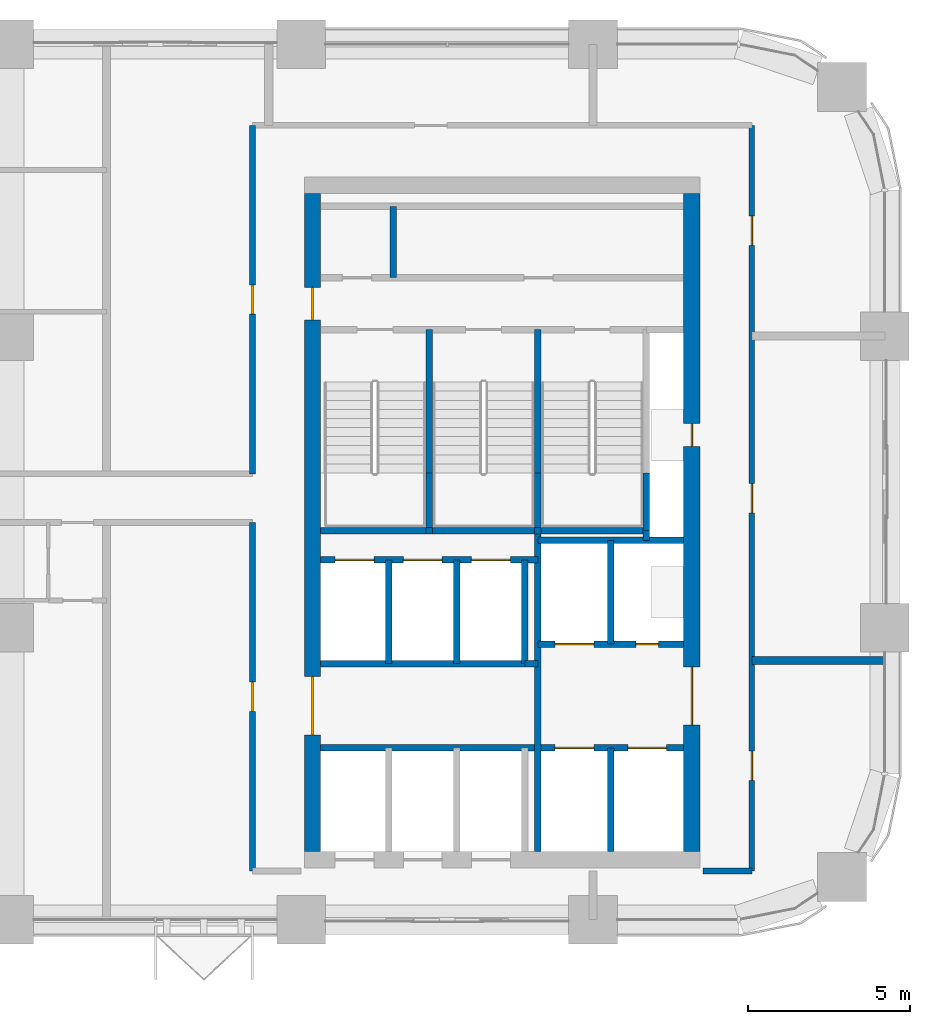
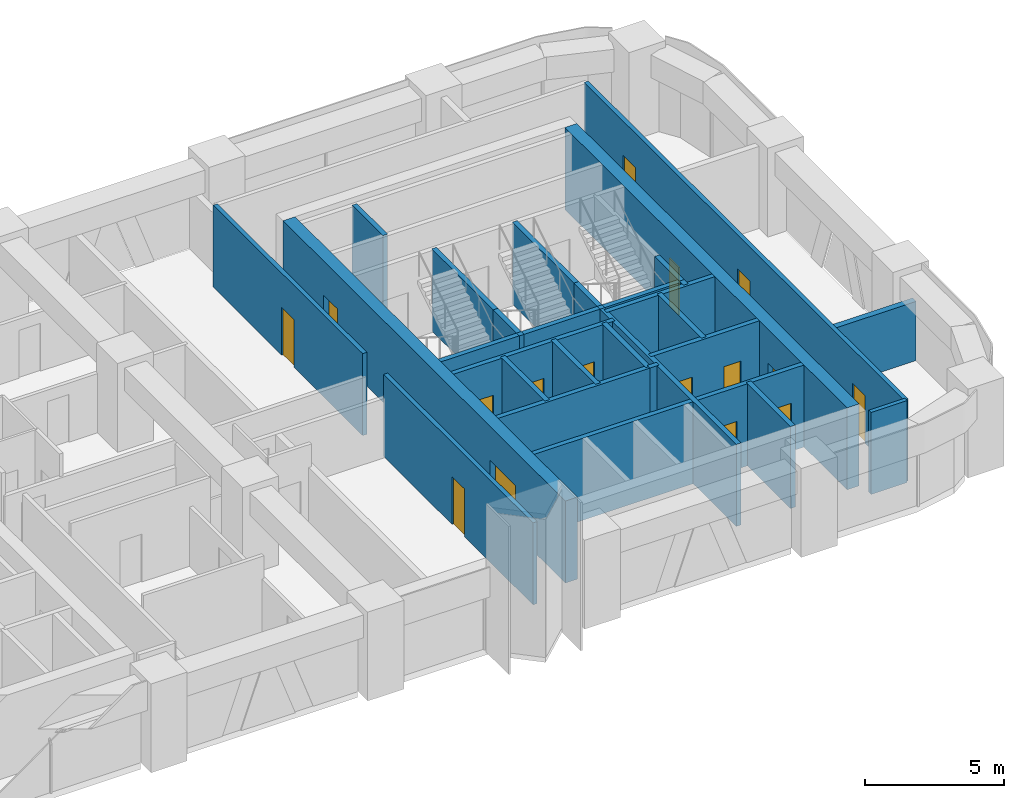
# One storey, part 11 of 14: 31 walls, 16 doors, 16 openings.
"""IFC4 building model written with IfcOpenShell, lengths in metres."""

import ifcopenshell
import ifcopenshell.guid

model = None  # the IFC model being written
_history = None  # IfcOwnerHistory: only IFC2X3 demands one
_inside = {}  # id of a spatial element -> (the spatial element, [elements in it])
_under = {}  # id of a project, library or spatial element -> (it, [spatial elements below it])
_declared = {}  # id of a project -> (the project, [libraries it declares])
_typed = {}  # id of a type object -> (the type object, [elements of that type])
_made_of = {}  # id of a material, layer set ... -> (it, [elements and type objects made of it])


def new_model(schema):
    """Start an empty IFC model of exactly this schema.

    Asked for "IFC4X3", IfcOpenShell would pick the latest addendum, in which some entities
    have other attributes; the version numbers below select the first issue.
    IFC2X3 requires an IfcOwnerHistory on every rooted entity: one is made here for all.
    """
    global model, _history
    if schema == "IFC4X3":
        model = ifcopenshell.file(schema_version=(4, 3, 0, 0))
    else:
        model = ifcopenshell.file(schema=schema)
    _inside.clear()
    _under.clear()
    _declared.clear()
    _typed.clear()
    _made_of.clear()
    _history = None
    if model.schema == "IFC2X3":
        org = make("IfcOrganization", Name="unknown")
        user = make(
            "IfcPersonAndOrganization",
            ThePerson=make("IfcPerson", FamilyName="unknown"),
            TheOrganization=org,
        )
        app = make(
            "IfcApplication",
            ApplicationDeveloper=org,
            Version="unknown",
            ApplicationFullName="unknown",
            ApplicationIdentifier="unknown",
        )
        _history = make(
            "IfcOwnerHistory",
            OwningUser=user,
            OwningApplication=app,
            ChangeAction="ADDED",
            CreationDate=0,
        )
    return model


def make(cls, **values):
    """One entity of the class cls with the attributes given. An attribute that is None is left unset."""
    return model.create_entity(
        cls, **{name: value for name, value in values.items() if value is not None}
    )


def rooted(cls, **values):
    """An entity with a GlobalId (a new one), such as an element, a storey or a relation."""
    return make(cls, GlobalId=ifcopenshell.guid.new(), OwnerHistory=_history, **values)


def si_unit(unit_type, name, prefix=None):
    """IfcSIUnit, for example si_unit("LENGTHUNIT", "METRE", prefix="MILLI")."""
    return make("IfcSIUnit", UnitType=unit_type, Prefix=prefix, Name=name)


def assignment(units):
    """IfcUnitAssignment: the units of a project."""
    return None if units is None else make("IfcUnitAssignment", Units=units)


def point(xyz):
    """IfcCartesianPoint."""
    return None if xyz is None else make("IfcCartesianPoint", Coordinates=xyz)


def direction(xyz):
    """IfcDirection."""
    return None if xyz is None else make("IfcDirection", DirectionRatios=xyz)


def frame(location, z_axis=None, x_axis=None):
    """IfcAxis2Placement3D, a coordinate frame: its origin and axes. An axis left out is left unset."""
    return make(
        "IfcAxis2Placement3D",
        Location=point(location),
        Axis=direction(z_axis),
        RefDirection=direction(x_axis),
    )


def frame_2d(location, x_axis=None):
    """IfcAxis2Placement2D, a coordinate frame in the plane: its origin and x axis."""
    return make(
        "IfcAxis2Placement2D", Location=point(location), RefDirection=direction(x_axis)
    )


def origin():
    """The frame at (0, 0, 0) with its axes left unset."""
    return frame((0.0, 0.0, 0.0))


def place(relative_to, where):
    """IfcLocalPlacement: puts the frame where relative to a parent placement (None: the world)."""
    return make(
        "IfcLocalPlacement", PlacementRelTo=relative_to, RelativePlacement=where
    )


def context(
    kind, dimensions, precision=None, world=None, true_north=None, identifier=None
):
    """IfcGeometricRepresentationContext, for example the 3D "Model" context."""
    return make(
        "IfcGeometricRepresentationContext",
        ContextIdentifier=identifier,
        ContextType=kind,
        CoordinateSpaceDimension=dimensions,
        Precision=precision,
        WorldCoordinateSystem=world,
        TrueNorth=true_north,
    )


def subcontext(parent, identifier, kind, view, scale=None):
    """IfcGeometricRepresentationSubContext, for example "Body" below "Model"."""
    return make(
        "IfcGeometricRepresentationSubContext",
        ContextIdentifier=identifier,
        ContextType=kind,
        ParentContext=parent,
        TargetScale=scale,
        TargetView=view,
    )


def project(units=None, contexts=None):
    """IfcProject with its units and contexts."""
    return rooted(
        "IfcProject",
        Name="project",
        RepresentationContexts=contexts,
        UnitsInContext=assignment(units),
    )


def spatial(cls, under=None, at=None, **own):
    """A site, building, storey or space (cls), placed at a placement, below another one or the project."""
    s = rooted(cls, ObjectPlacement=at, **own)
    if under is not None:
        _under.setdefault(under.id(), (under, []))[1].append(s)
    return s


def profile(cls, at=None, kind="AREA", **sizes):
    """A parametric profile (cls). Its sizes go by their IFC names, for example OverallWidth=200.0."""
    return make(cls, ProfileType=kind, Position=at, **sizes)


def rectangle(**sizes):
    """IfcRectangleProfileDef."""
    return profile("IfcRectangleProfileDef", **sizes)


def extrude(swept, where, along, depth):
    """IfcExtrudedAreaSolid: the profile swept, set in the frame where, extruded along a direction by depth."""
    return make(
        "IfcExtrudedAreaSolid",
        SweptArea=swept,
        Position=where,
        ExtrudedDirection=direction(along),
        Depth=depth,
    )


def shape(context_of_items, identifier, shape_type, items):
    """IfcShapeRepresentation: the items that make up one representation, for example the "Body"."""
    return make(
        "IfcShapeRepresentation",
        ContextOfItems=context_of_items,
        RepresentationIdentifier=identifier,
        RepresentationType=shape_type,
        Items=items,
    )


def material(Name=None, Category=None):
    """IfcMaterial."""
    return make("IfcMaterial", Name=Name, Category=Category)


def layer(
    of_material, thickness, ventilated=None, Name=None, Category=None, Priority=None
):
    """IfcMaterialLayer: one layer of a wall or slab, of a material (None: an air gap)."""
    return make(
        "IfcMaterialLayer",
        Material=of_material,
        LayerThickness=thickness,
        IsVentilated=ventilated,
        Name=Name,
        Category=Category,
        Priority=Priority,
    )


def layer_set(layers, Name=None):
    """IfcMaterialLayerSet."""
    return make("IfcMaterialLayerSet", MaterialLayers=layers, LayerSetName=Name)


def made_of(thing, what):
    """Note that an element or type object is made of a material, layer set ...; save() writes the relation."""
    if what is not None:
        _made_of.setdefault(what.id(), (what, []))[1].append(thing)
    return thing


def type_object(cls, material=None, **own):
    """A type object (cls), such as IfcWallType, which elements share."""
    return made_of(rooted(cls, **own), material)


def element(
    cls,
    number,
    at=None,
    inside=None,
    cuts=None,
    type_object=None,
    material=None,
    context=None,
    identifier="Body",
    shape_type=None,
    held_by="IfcProductDefinitionShape",
    body=None,
    shapes=None,
    **own,
):
    """One element of the class cls, such as IfcWall. Its Tag is "e" and its number.

    at: its placement. inside: the storey or other place that contains it. cuts: it is an
    opening in that element (IfcRelVoidsElement). A single representation is given by context,
    identifier, shape_type and body (its items); several are given by shapes. held_by: the class
    of the entity that holds the representations. save() writes the other relations.
    """
    e = rooted(cls, Tag="e%d" % number, ObjectPlacement=at, **own)
    if body is not None:
        shapes = [shape(context, identifier, shape_type, body)]
    if shapes is not None:
        e.Representation = make(held_by, Representations=shapes)
    if inside is not None:
        _inside.setdefault(inside.id(), (inside, []))[1].append(e)
    if cuts is not None:
        rooted(
            "IfcRelVoidsElement", RelatingBuildingElement=cuts, RelatedOpeningElement=e
        )
    if type_object is not None:
        _typed.setdefault(type_object.id(), (type_object, []))[1].append(e)
    return made_of(e, material)


def fill(opening, filler):
    """IfcRelFillsElement: the door or window that sits in an opening."""
    return rooted(
        "IfcRelFillsElement",
        RelatingOpeningElement=opening,
        RelatedBuildingElement=filler,
    )


def aggregate(whole, parts):
    """IfcRelAggregates: a whole, such as a stair, and the parts it consists of."""
    return rooted("IfcRelAggregates", RelatingObject=whole, RelatedObjects=parts)


def save(model, path):
    """Write the relations noted so far, then the file.

    IfcRelAggregates (storeys below a building ...), IfcRelContainedInSpatialStructure (elements
    in a storey), IfcRelDefinesByType, IfcRelAssociatesMaterial and IfcRelDeclares: one each for
    every whole, place, type object, material and project.
    """
    for whole, parts in _under.values():
        aggregate(whole, parts)
    for where, things in _inside.values():
        rooted(
            "IfcRelContainedInSpatialStructure",
            RelatedElements=things,
            RelatingStructure=where,
        )
    for kind, things in _typed.values():
        rooted("IfcRelDefinesByType", RelatedObjects=things, RelatingType=kind)
    for what, things in _made_of.values():
        rooted("IfcRelAssociatesMaterial", RelatedObjects=things, RelatingMaterial=what)
    for by, libraries in _declared.values():
        rooted("IfcRelDeclares", RelatingContext=by, RelatedDefinitions=libraries)
    model.write(path)


model = new_model("IFC4")

# Units and contexts
model_context = context("Model", 3, precision=1e-05, world=origin(), true_north=direction((0.0, 1.0)))
body_context = subcontext(model_context, "Body", "Model", "MODEL_VIEW")
ifc_project = project(units=[si_unit("LENGTHUNIT", "METRE"), si_unit("AREAUNIT", "SQUARE_METRE"), si_unit("VOLUMEUNIT", "CUBIC_METRE"), si_unit("PLANEANGLEUNIT", "RADIAN"), si_unit("MASSUNIT", "GRAM", prefix="KILO")], contexts=[model_context])

# Site, building, storey
site_placement = place(None, origin())
site = spatial("IfcSite", under=ifc_project, at=site_placement, CompositionType="ELEMENT")
building_placement = place(site_placement, origin())
building = spatial("IfcBuilding", under=site, at=building_placement, Name="Tessera Arch", CompositionType="ELEMENT")
storey_placement = place(building_placement, frame((0.0, 0.0, 134.89990234375)))
storey = spatial("IfcBuildingStorey", under=building, at=storey_placement, Name="L31", CompositionType="ELEMENT", Elevation=134.89990234375)

# Walls
ifc_material_1 = material(Name="Gypsum board on steel stud", Category="steel")
ifc_layer_1 = layer(ifc_material_1, 0.125)
ifc_layer_set_1 = layer_set([ifc_layer_1], Name="Core partition 125 EI 60")
wall_type_1 = type_object("IfcWallType", Name="Core partition 125 EI 60", PredefinedType="PARTITIONING", material=ifc_layer_set_1)
wall_1_placement = place(storey_placement, frame((38.840087890625, 46.800048828125, 0.0), z_axis=(0.0, 0.0, 1.0), x_axis=(0.0, 1.0, 0.0)))
element("IfcWall", 1, at=wall_1_placement, inside=storey, type_object=wall_type_1, Name="L31 C1 partition wall 3", PredefinedType="PARTITIONING", context=body_context, shape_type="SweptSolid", body=[
    extrude(rectangle(XDim=2.199951171875, YDim=0.199951171875, at=frame_2d((1.10009765625, 0.0))), origin(), (0.0, 0.0, 1.0), 3.60009765625),
])
wall_2_placement = place(storey_placement, frame((42.89990234375, 34.89990234375, 0.0), z_axis=(0.0, 0.0, 1.0), x_axis=(1.0, 0.0, 0.0)))
element("IfcWall", 2, at=wall_2_placement, inside=storey, type_object=wall_type_1, Name="L31 C1 partition wall 19", PredefinedType="PARTITIONING", context=body_context, shape_type="SweptSolid", body=[
    extrude(rectangle(XDim=0.400146484375, YDim=0.199951171875, at=frame_2d((0.2001953125, 0.0))), origin(), (0.0, 0.0, 1.0), 3.60009765625),
])

# Wall, openings, doors
ifc_material_2 = material(Name="Concrete C60/75", Category="concrete")
ifc_layer_2 = layer(ifc_material_2, 0.5)
ifc_layer_set_2 = layer_set([ifc_layer_2], Name="Core shell wall 500 C60-75")
wall_type_2 = type_object("IfcWallType", Name="Core shell wall 500 C60-75", PredefinedType="SHEAR", material=ifc_layer_set_2)
wall_3_placement = place(storey_placement, frame((36.35009765625, 29.10009765625, 0.0), z_axis=(0.0, 0.0, 1.0), x_axis=(0.0, 1.0, 0.0)))
wall_3 = element("IfcWall", 3, at=wall_3_placement, inside=storey, type_object=wall_type_2, Name="L31 C1 core wall W", PredefinedType="SHEAR", context=body_context, shape_type="SweptSolid", body=[
    extrude(rectangle(XDim=20.2998046875, YDim=0.5, at=frame_2d((10.14990234375, 0.0))), origin(), (0.0, 0.0, 1.0), 3.60009765625),
])
opening_1_placement = place(wall_3_placement, frame((3.60009765625, 0.0, 0.0)))
opening_1 = element("IfcOpeningElement", 4, at=opening_1_placement, cuts=wall_3, Name="Opening L31-C10", PredefinedType="OPENING", context=body_context, shape_type="SweptSolid", body=[
    extrude(rectangle(XDim=1.800048828125, YDim=2.10009765625, at=frame_2d((0.89990234375, 1.050048828125))), frame((0.0, 0.260009765625, 0.0), z_axis=(0.0, -1.0, 0.0), x_axis=(1.0, 0.0, 0.0)), (0.0, 0.0, 1.0), 0.52001953125),
])
opening_2_placement = place(wall_3_placement, frame((16.39990234375, 0.0, 0.0)))
opening_2 = element("IfcOpeningElement", 5, at=opening_2_placement, cuts=wall_3, Name="Opening L31-C17", PredefinedType="OPENING", context=body_context, shape_type="SweptSolid", body=[
    extrude(rectangle(XDim=1.0, YDim=2.10009765625, at=frame_2d((0.5, 1.050048828125))), frame((0.0, 0.260009765625, 0.0), z_axis=(0.0, -1.0, 0.0), x_axis=(1.0, 0.0, 0.0)), (0.0, 0.0, 1.0), 0.52001953125),
])
ifc_material_3 = material(Name="Steel door leaf", Category="steel")
door_type_1 = type_object("IfcDoorType", Name="Corridor door FD60 1000 x 2100", OperationType="SINGLE_SWING_LEFT", PredefinedType="DOOR", material=ifc_material_3)
door_1_placement = place(opening_2_placement, origin())
door_1 = element("IfcDoor", 6, at=door_1_placement, inside=storey, type_object=door_type_1, Name="L31 C1 door 17 C17 type D12", OperationType="SINGLE_SWING_RIGHT", OverallHeight=2.10009765625, OverallWidth=1.0, PredefinedType="DOOR", context=body_context, shape_type="SweptSolid", body=[
    extrude(rectangle(XDim=1.0, YDim=2.10009765625, at=frame_2d((0.5, 1.050048828125))), frame((0.0, 0.02490234375, 0.0), z_axis=(0.0, -1.0, 0.0), x_axis=(1.0, 0.0, 0.0)), (0.0, 0.0, 1.0), 0.050048828125),
])
fill(opening_2, door_1)
ifc_material_4 = material(Name="Glazed steel door leaf", Category="steel")
door_type_2 = type_object("IfcDoorType", Name="Lobby double door FD30S 1800 x 2100", OperationType="DOUBLE_DOOR_SINGLE_SWING", PredefinedType="DOOR", material=ifc_material_4)
door_2_placement = place(opening_1_placement, origin())
door_2 = element("IfcDoor", 7, at=door_2_placement, inside=storey, type_object=door_type_2, Name="L31 C1 door 10 C10 type D06", OperationType="DOUBLE_DOOR_SINGLE_SWING", OverallHeight=2.10009765625, OverallWidth=1.800048828125, PredefinedType="DOOR", context=body_context, shape_type="SweptSolid", body=[
    extrude(rectangle(XDim=1.800048828125, YDim=2.10009765625, at=frame_2d((0.89990234375, 1.050048828125))), frame((0.0, 0.02490234375, 0.0), z_axis=(0.0, -1.0, 0.0), x_axis=(1.0, 0.0, 0.0)), (0.0, 0.0, 1.0), 0.050048828125),
])
fill(opening_1, door_2)

wall_4_placement = place(storey_placement, frame((48.050048828125, 29.10009765625, 0.0), z_axis=(0.0, 0.0, 1.0), x_axis=(0.0, 1.0, 0.0)))
wall_4 = element("IfcWall", 8, at=wall_4_placement, inside=storey, type_object=wall_type_2, Name="L31 C1 core wall E", PredefinedType="SHEAR", context=body_context, shape_type="SweptSolid", body=[
    extrude(rectangle(XDim=20.2998046875, YDim=0.5, at=frame_2d((10.14990234375, 0.0))), origin(), (0.0, 0.0, 1.0), 3.60009765625),
])
opening_3_placement = place(wall_4_placement, frame((12.5, 0.0, 0.0)))
opening_3 = element("IfcOpeningElement", 9, at=opening_3_placement, cuts=wall_4, Name="Opening L31-C14", PredefinedType="OPENING", context=body_context, shape_type="SweptSolid", body=[
    extrude(rectangle(XDim=0.699951171875, YDim=2.10009765625, at=frame_2d((0.35009765625, 1.050048828125))), frame((0.0, 0.260009765625, 0.0), z_axis=(0.0, -1.0, 0.0), x_axis=(1.0, 0.0, 0.0)), (0.0, 0.0, 1.0), 0.52001953125),
])
opening_4_placement = place(wall_4_placement, frame((3.89990234375, 0.0, 0.0)))
opening_4 = element("IfcOpeningElement", 10, at=opening_4_placement, cuts=wall_4, Name="Opening L31-C15", PredefinedType="OPENING", context=body_context, shape_type="SweptSolid", body=[
    extrude(rectangle(XDim=1.800048828125, YDim=2.10009765625, at=frame_2d((0.89990234375, 1.050048828125))), frame((0.0, 0.260009765625, 0.0), z_axis=(0.0, -1.0, 0.0), x_axis=(1.0, 0.0, 0.0)), (0.0, 0.0, 1.0), 0.52001953125),
])
ifc_material_5 = material(Name="Glazed steel door leaf", Category="steel")
door_type_3 = type_object("IfcDoorType", Name="Lobby double door FD60 1800 x 2100", OperationType="DOUBLE_DOOR_SINGLE_SWING", PredefinedType="DOOR", material=ifc_material_5)
door_3_placement = place(opening_4_placement, origin())
door_3 = element("IfcDoor", 11, at=door_3_placement, inside=storey, type_object=door_type_3, Name="L31 C1 door 15 C15 type D19", OperationType="DOUBLE_DOOR_SINGLE_SWING", OverallHeight=2.10009765625, OverallWidth=1.800048828125, PredefinedType="DOOR", context=body_context, shape_type="SweptSolid", body=[
    extrude(rectangle(XDim=1.800048828125, YDim=2.10009765625, at=frame_2d((0.89990234375, 1.050048828125))), frame((0.0, 0.02490234375, 0.0), z_axis=(0.0, -1.0, 0.0), x_axis=(1.0, 0.0, 0.0)), (0.0, 0.0, 1.0), 0.050048828125),
])
fill(opening_4, door_3)
ifc_material_6 = material(Name="Steel door leaf", Category="steel")
door_type_4 = type_object("IfcDoorType", Name="Service shaft door FD60 700 x 2100", OperationType="SINGLE_SWING_LEFT", PredefinedType="DOOR", material=ifc_material_6)
door_4_placement = place(opening_3_placement, origin())
door_4 = element("IfcDoor", 12, at=door_4_placement, inside=storey, type_object=door_type_4, Name="L31 C1 door 14 C14 type D07", OperationType="SINGLE_SWING_RIGHT", OverallHeight=2.10009765625, OverallWidth=0.699951171875, PredefinedType="DOOR", context=body_context, shape_type="SweptSolid", body=[
    extrude(rectangle(XDim=0.699951171875, YDim=2.10009765625, at=frame_2d((0.35009765625, 1.050048828125))), frame((0.0, 0.02490234375, 0.0), z_axis=(0.0, -1.0, 0.0), x_axis=(1.0, 0.0, 0.0)), (0.0, 0.0, 1.0), 0.050048828125),
])
fill(opening_3, door_4)

# Wall
ifc_material_7 = material(Name="Gypsum board on deep steel stud with mineral wool", Category="steel")
ifc_layer_3 = layer(ifc_material_7, 0.175048828125)
ifc_layer_set_3 = layer_set([ifc_layer_3], Name="Corridor wall 175 EI 60")
wall_type_3 = type_object("IfcWallType", Name="Corridor wall 175 EI 60", PredefinedType="PARTITIONING", material=ifc_layer_set_3)
wall_5_placement = place(storey_placement, frame((48.39990234375, 28.5, 0.0), z_axis=(0.0, 0.0, 1.0), x_axis=(1.0, 0.0, 0.0)))
element("IfcWall", 13, at=wall_5_placement, inside=storey, type_object=wall_type_3, Name="L31 partition 4", PredefinedType="PARTITIONING", context=body_context, shape_type="SweptSolid", body=[
    extrude(rectangle(XDim=1.5, YDim=0.175048828125, at=frame_2d((0.75, 0.0))), origin(), (0.0, 0.0, 1.0), 3.60009765625),
])

# Wall, opening, door
wall_6_placement = place(storey_placement, frame((34.5, 28.5, 0.0), z_axis=(0.0, 0.0, 1.0), x_axis=(0.0, 1.0, 0.0)))
wall_6 = element("IfcWall", 14, at=wall_6_placement, inside=storey, type_object=wall_type_3, Name="L31 partition 13", PredefinedType="PARTITIONING", context=body_context, shape_type="SweptSolid", body=[
    extrude(rectangle(XDim=10.75, YDim=0.175048828125, at=frame_2d((5.375, 0.0))), origin(), (0.0, 0.0, 1.0), 3.60009765625),
])
opening_5_placement = place(wall_6_placement, frame((4.925048828125, 0.0, 0.0)))
opening_5 = element("IfcOpeningElement", 15, at=opening_5_placement, cuts=wall_6, Name="Opening L31-D002", PredefinedType="OPENING", context=body_context, shape_type="SweptSolid", body=[
    extrude(rectangle(XDim=0.89990234375, YDim=2.10009765625, at=frame_2d((0.449951171875, 1.050048828125))), frame((0.0, 0.097412109375, 0.0), z_axis=(0.0, -1.0, 0.0), x_axis=(1.0, 0.0, 0.0)), (0.0, 0.0, 1.0), 0.195068359375),
])
ifc_material_8 = material(Name="Timber door leaf", Category="wood")
door_type_5 = type_object("IfcDoorType", Name="Room door 900 x 2100", OperationType="SINGLE_SWING_LEFT", PredefinedType="DOOR", material=ifc_material_8)
door_5_placement = place(opening_5_placement, origin())
door_5 = element("IfcDoor", 16, at=door_5_placement, inside=storey, type_object=door_type_5, Name="L31 door D002 type D01", OperationType="SINGLE_SWING_LEFT", OverallHeight=2.10009765625, OverallWidth=0.89990234375, PredefinedType="DOOR", context=body_context, shape_type="SweptSolid", body=[
    extrude(rectangle(XDim=0.89990234375, YDim=2.10009765625, at=frame_2d((0.449951171875, 1.050048828125))), frame((0.0, 0.02490234375, 0.0), z_axis=(0.0, -1.0, 0.0), x_axis=(1.0, 0.0, 0.0)), (0.0, 0.0, 1.0), 0.050048828125),
])
fill(opening_5, door_5)

wall_7_placement = place(storey_placement, frame((34.5, 40.75, 0.0), z_axis=(0.0, 0.0, 1.0), x_axis=(0.0, 1.0, 0.0)))
wall_7 = element("IfcWall", 17, at=wall_7_placement, inside=storey, type_object=wall_type_3, Name="L31 partition 14", PredefinedType="PARTITIONING", context=body_context, shape_type="SweptSolid", body=[
    extrude(rectangle(XDim=10.75, YDim=0.175048828125, at=frame_2d((5.375, 0.0))), origin(), (0.0, 0.0, 1.0), 3.60009765625),
])
opening_6_placement = place(wall_7_placement, frame((4.925048828125, 0.0, 0.0)))
opening_6 = element("IfcOpeningElement", 18, at=opening_6_placement, cuts=wall_7, Name="Opening L31-D019", PredefinedType="OPENING", context=body_context, shape_type="SweptSolid", body=[
    extrude(rectangle(XDim=0.89990234375, YDim=2.10009765625, at=frame_2d((0.449951171875, 1.050048828125))), frame((0.0, 0.097412109375, 0.0), z_axis=(0.0, -1.0, 0.0), x_axis=(1.0, 0.0, 0.0)), (0.0, 0.0, 1.0), 0.195068359375),
])
door_6_placement = place(opening_6_placement, origin())
door_6 = element("IfcDoor", 19, at=door_6_placement, inside=storey, type_object=door_type_5, Name="L31 door D019 type D01", OperationType="SINGLE_SWING_RIGHT", OverallHeight=2.10009765625, OverallWidth=0.89990234375, PredefinedType="DOOR", context=body_context, shape_type="SweptSolid", body=[
    extrude(rectangle(XDim=0.89990234375, YDim=2.10009765625, at=frame_2d((0.449951171875, 1.050048828125))), frame((0.0, 0.02490234375, 0.0), z_axis=(0.0, -1.0, 0.0), x_axis=(1.0, 0.0, 0.0)), (0.0, 0.0, 1.0), 0.050048828125),
])
fill(opening_6, door_6)

# Wall, openings, doors
wall_8_placement = place(storey_placement, frame((49.89990234375, 28.5, 0.0), z_axis=(0.0, 0.0, 1.0), x_axis=(0.0, 1.0, 0.0)))
wall_8 = element("IfcWall", 20, at=wall_8_placement, inside=storey, type_object=wall_type_3, Name="L31 partition 15", PredefinedType="PARTITIONING", context=body_context, shape_type="SweptSolid", body=[
    extrude(rectangle(XDim=23.0, YDim=0.175048828125, at=frame_2d((11.5, 0.0))), origin(), (0.0, 0.0, 1.0), 3.60009765625),
])
opening_7_placement = place(wall_8_placement, frame((2.800048828125, 0.0, 0.0)))
opening_7 = element("IfcOpeningElement", 21, at=opening_7_placement, cuts=wall_8, Name="Opening L31-D001", PredefinedType="OPENING", context=body_context, shape_type="SweptSolid", body=[
    extrude(rectangle(XDim=0.89990234375, YDim=2.10009765625, at=frame_2d((0.449951171875, 1.050048828125))), frame((0.0, 0.097412109375, 0.0), z_axis=(0.0, -1.0, 0.0), x_axis=(1.0, 0.0, 0.0)), (0.0, 0.0, 1.0), 0.195068359375),
])
opening_8_placement = place(wall_8_placement, frame((11.050048828125, 0.0, 0.0)))
opening_8 = element("IfcOpeningElement", 22, at=opening_8_placement, cuts=wall_8, Name="Opening L31-D011", PredefinedType="OPENING", context=body_context, shape_type="SweptSolid", body=[
    extrude(rectangle(XDim=0.89990234375, YDim=2.10009765625, at=frame_2d((0.449951171875, 1.050048828125))), frame((0.0, 0.097412109375, 0.0), z_axis=(0.0, -1.0, 0.0), x_axis=(1.0, 0.0, 0.0)), (0.0, 0.0, 1.0), 0.195068359375),
])
opening_9_placement = place(wall_8_placement, frame((19.300048828125, 0.0, 0.0)))
opening_9 = element("IfcOpeningElement", 23, at=opening_9_placement, cuts=wall_8, Name="Opening L31-D021", PredefinedType="OPENING", context=body_context, shape_type="SweptSolid", body=[
    extrude(rectangle(XDim=0.89990234375, YDim=2.10009765625, at=frame_2d((0.449951171875, 1.050048828125))), frame((0.0, 0.097412109375, 0.0), z_axis=(0.0, -1.0, 0.0), x_axis=(1.0, 0.0, 0.0)), (0.0, 0.0, 1.0), 0.195068359375),
])
door_7_placement = place(opening_7_placement, origin())
door_7 = element("IfcDoor", 24, at=door_7_placement, inside=storey, type_object=door_type_5, Name="L31 door D001 type D01", OperationType="SINGLE_SWING_LEFT", OverallHeight=2.10009765625, OverallWidth=0.89990234375, PredefinedType="DOOR", context=body_context, shape_type="SweptSolid", body=[
    extrude(rectangle(XDim=0.89990234375, YDim=2.10009765625, at=frame_2d((0.449951171875, 1.050048828125))), frame((0.0, 0.02490234375, 0.0), z_axis=(0.0, -1.0, 0.0), x_axis=(1.0, 0.0, 0.0)), (0.0, 0.0, 1.0), 0.050048828125),
])
fill(opening_7, door_7)
door_8_placement = place(opening_8_placement, origin())
door_8 = element("IfcDoor", 25, at=door_8_placement, inside=storey, type_object=door_type_5, Name="L31 door D011 type D01", OperationType="SINGLE_SWING_LEFT", OverallHeight=2.10009765625, OverallWidth=0.89990234375, PredefinedType="DOOR", context=body_context, shape_type="SweptSolid", body=[
    extrude(rectangle(XDim=0.89990234375, YDim=2.10009765625, at=frame_2d((0.449951171875, 1.050048828125))), frame((0.0, 0.02490234375, 0.0), z_axis=(0.0, -1.0, 0.0), x_axis=(1.0, 0.0, 0.0)), (0.0, 0.0, 1.0), 0.050048828125),
])
fill(opening_8, door_8)
door_9_placement = place(opening_9_placement, origin())
door_9 = element("IfcDoor", 26, at=door_9_placement, inside=storey, type_object=door_type_5, Name="L31 door D021 type D01", OperationType="SINGLE_SWING_LEFT", OverallHeight=2.10009765625, OverallWidth=0.89990234375, PredefinedType="DOOR", context=body_context, shape_type="SweptSolid", body=[
    extrude(rectangle(XDim=0.89990234375, YDim=2.10009765625, at=frame_2d((0.449951171875, 1.050048828125))), frame((0.0, 0.02490234375, 0.0), z_axis=(0.0, -1.0, 0.0), x_axis=(1.0, 0.0, 0.0)), (0.0, 0.0, 1.0), 0.050048828125),
])
fill(opening_9, door_9)

# Walls
ifc_material_9 = material(Name="Double gypsum board on twin steel stud with acoustic mineral wool", Category="steel")
ifc_layer_4 = layer(ifc_material_9, 0.25)
ifc_layer_set_4 = layer_set([ifc_layer_4], Name="Party wall 250 EI 60")
wall_type_4 = type_object("IfcWallType", Name="Party wall 250 EI 60", PredefinedType="PARTITIONING", material=ifc_layer_set_4)
wall_9_placement = place(storey_placement, frame((49.89990234375, 35.0, 0.0), z_axis=(0.0, 0.0, 1.0), x_axis=(1.0, 0.0, 0.0)))
element("IfcWall", 27, at=wall_9_placement, inside=storey, type_object=wall_type_4, Name="L31 partition 24", PredefinedType="PARTITIONING", context=body_context, shape_type="SweptSolid", body=[
    extrude(rectangle(XDim=4.10009765625, YDim=0.25, at=frame_2d((2.050048828125, 0.0))), origin(), (0.0, 0.0, 1.0), 2.60009765625),
])
ifc_material_10 = material(Name="Concrete C40/50", Category="concrete")
ifc_layer_5 = layer(ifc_material_10, 0.199951171875)
ifc_layer_set_5 = layer_set([ifc_layer_5], Name="Shaft wall 200 EI 120")
wall_type_5 = type_object("IfcWallType", Name="Shaft wall 200 EI 120", PredefinedType="SOLIDWALL", material=ifc_layer_set_5)
for number, where, z_axis, x_axis, name in (
    (28, (38.699951171875, 34.89990234375, 0.0), (0.0, 0.0, 1.0), (0.0, 1.0, 0.0), "L31 C1 shaft wall 2"),
    (29, (40.800048828125, 34.89990234375, 0.0), (0.0, 0.0, 1.0), (0.0, 1.0, 0.0), "L31 C1 shaft wall 7"),
    (30, (42.89990234375, 34.89990234375, 0.0), (0.0, 0.0, 1.0), (0.0, 1.0, 0.0), "L31 C1 shaft wall 9"),
):
    element("IfcWall", number, at=place(storey_placement, frame(where, z_axis=z_axis, x_axis=x_axis)), inside=storey, type_object=wall_type_5, Name=name, PredefinedType="SOLIDWALL", context=body_context, shape_type="SweptSolid", body=[
        extrude(rectangle(XDim=3.2001953125, YDim=0.199951171875, at=frame_2d((1.60009765625, 0.0))), origin(), (0.0, 0.0, 1.0), 3.60009765625),
    ])
wall_10_placement = place(storey_placement, frame((43.300048828125, 29.10009765625, 0.0), z_axis=(0.0, 0.0, 1.0), x_axis=(0.0, 1.0, 0.0)))
element("IfcWall", 31, at=wall_10_placement, inside=storey, type_object=wall_type_5, Name="L31 C1 shaft wall 10", PredefinedType="SOLIDWALL", context=body_context, shape_type="SweptSolid", body=[
    extrude(rectangle(XDim=9.89990234375, YDim=0.199951171875, at=frame_2d((4.949951171875, 0.0))), origin(), (0.0, 0.0, 1.0), 3.60009765625),
])
for number, where, z_axis, x_axis, name in (
    (32, (45.550048828125, 29.10009765625, 0.0), (0.0, 0.0, 1.0), (0.0, 1.0, 0.0), "L31 C1 shaft wall 13"),
    (33, (45.550048828125, 35.5, 0.0), (0.0, 0.0, 1.0), (0.0, 1.0, 0.0), "L31 C1 shaft wall 14"),
):
    element("IfcWall", number, at=place(storey_placement, frame(where, z_axis=z_axis, x_axis=x_axis)), inside=storey, type_object=wall_type_5, Name=name, PredefinedType="SOLIDWALL", context=body_context, shape_type="SweptSolid", body=[
        extrude(rectangle(XDim=3.199951171875, YDim=0.199951171875, at=frame_2d((1.60009765625, 0.0))), origin(), (0.0, 0.0, 1.0), 3.60009765625),
    ])
wall_11_placement = place(storey_placement, frame((46.64990234375, 38.699951171875, 0.0), z_axis=(0.0, 0.0, 1.0), x_axis=(0.0, 1.0, 0.0)))
element("IfcWall", 34, at=wall_11_placement, inside=storey, type_object=wall_type_5, Name="L31 C1 shaft wall 15", PredefinedType="SOLIDWALL", context=body_context, shape_type="SweptSolid", body=[
    extrude(rectangle(XDim=0.300048828125, YDim=0.199951171875, at=frame_2d((0.14990234375, 0.0))), origin(), (0.0, 0.0, 1.0), 3.60009765625),
])

# Wall, openings, doors
wall_12_placement = place(storey_placement, frame((36.60009765625, 32.300048828125, 0.0), z_axis=(0.0, 0.0, 1.0), x_axis=(1.0, 0.0, 0.0)))
wall_12 = element("IfcWall", 35, at=wall_12_placement, inside=storey, type_object=wall_type_5, Name="L31 C1 shaft wall 18", PredefinedType="SOLIDWALL", context=body_context, shape_type="SweptSolid", body=[
    extrude(rectangle(XDim=11.199951171875, YDim=0.199951171875, at=frame_2d((5.60009765625, 0.0))), origin(), (0.0, 0.0, 1.0), 3.60009765625),
])
opening_10_placement = place(wall_12_placement, frame((7.22509765625, 0.0, 0.0)))
opening_10 = element("IfcOpeningElement", 36, at=opening_10_placement, cuts=wall_12, Name="Opening L31-C07", PredefinedType="OPENING", context=body_context, shape_type="SweptSolid", body=[
    extrude(rectangle(XDim=1.199951171875, YDim=2.10009765625, at=frame_2d((0.60009765625, 1.050048828125))), frame((0.0, 0.10986328125, 0.0), z_axis=(0.0, -1.0, 0.0), x_axis=(1.0, 0.0, 0.0)), (0.0, 0.0, 1.0), 0.219970703125),
])
opening_11_placement = place(wall_12_placement, frame((9.47509765625, 0.0, 0.0)))
opening_11 = element("IfcOpeningElement", 37, at=opening_11_placement, cuts=wall_12, Name="Opening L31-C08", PredefinedType="OPENING", context=body_context, shape_type="SweptSolid", body=[
    extrude(rectangle(XDim=1.199951171875, YDim=2.10009765625, at=frame_2d((0.60009765625, 1.050048828125))), frame((0.0, 0.10986328125, 0.0), z_axis=(0.0, -1.0, 0.0), x_axis=(1.0, 0.0, 0.0)), (0.0, 0.0, 1.0), 0.219970703125),
])
ifc_material_11 = material(Name="Stainless steel AISI 304", Category="steel")
door_type_6 = type_object("IfcDoorType", Name="Sliding landing door 1200 x 2100", OperationType="SLIDING_TO_LEFT", PredefinedType="DOOR", material=ifc_material_11)
door_10_placement = place(opening_10_placement, origin())
door_10 = element("IfcDoor", 38, at=door_10_placement, inside=storey, type_object=door_type_6, Name="L31 FF1 lift landing door C07 type LD", OperationType="SLIDING_TO_LEFT", OverallHeight=2.10009765625, OverallWidth=1.199951171875, PredefinedType="DOOR", context=body_context, shape_type="SweptSolid", body=[
    extrude(rectangle(XDim=1.199951171875, YDim=2.10009765625, at=frame_2d((0.60009765625, 1.050048828125))), frame((0.0, 0.02490234375, 0.0), z_axis=(0.0, -1.0, 0.0), x_axis=(1.0, 0.0, 0.0)), (0.0, 0.0, 1.0), 0.050048828125),
])
fill(opening_10, door_10)
door_11_placement = place(opening_11_placement, origin())
door_11 = element("IfcDoor", 39, at=door_11_placement, inside=storey, type_object=door_type_6, Name="L31 FF2 lift landing door C08 type LD", OperationType="SLIDING_TO_LEFT", OverallHeight=2.10009765625, OverallWidth=1.199951171875, PredefinedType="DOOR", context=body_context, shape_type="SweptSolid", body=[
    extrude(rectangle(XDim=1.199951171875, YDim=2.10009765625, at=frame_2d((0.60009765625, 1.050048828125))), frame((0.0, 0.02490234375, 0.0), z_axis=(0.0, -1.0, 0.0), x_axis=(1.0, 0.0, 0.0)), (0.0, 0.0, 1.0), 0.050048828125),
])
fill(opening_11, door_11)

# Wall
wall_13_placement = place(storey_placement, frame((36.60009765625, 34.89990234375, 0.0), z_axis=(0.0, 0.0, 1.0), x_axis=(1.0, 0.0, 0.0)))
element("IfcWall", 40, at=wall_13_placement, inside=storey, type_object=wall_type_5, Name="L31 C1 shaft wall 20", PredefinedType="SOLIDWALL", context=body_context, shape_type="SweptSolid", body=[
    extrude(rectangle(XDim=6.2998046875, YDim=0.199951171875, at=frame_2d((3.14990234375, 0.0))), origin(), (0.0, 0.0, 1.0), 3.60009765625),
])

# Wall, openings, doors
wall_14_placement = place(storey_placement, frame((43.300048828125, 35.5, 0.0), z_axis=(0.0, 0.0, 1.0), x_axis=(1.0, 0.0, 0.0)))
wall_14 = element("IfcWall", 41, at=wall_14_placement, inside=storey, type_object=wall_type_5, Name="L31 C1 shaft wall 21", PredefinedType="SOLIDWALL", context=body_context, shape_type="SweptSolid", body=[
    extrude(rectangle(XDim=4.5, YDim=0.199951171875, at=frame_2d((2.25, 0.0))), origin(), (0.0, 0.0, 1.0), 3.60009765625),
])
opening_12_placement = place(wall_14_placement, frame((0.52490234375, 0.0, 0.0)))
opening_12 = element("IfcOpeningElement", 42, at=opening_12_placement, cuts=wall_14, Name="Opening L31-C09", PredefinedType="OPENING", context=body_context, shape_type="SweptSolid", body=[
    extrude(rectangle(XDim=1.199951171875, YDim=2.10009765625, at=frame_2d((0.60009765625, 1.050048828125))), frame((0.0, 0.10986328125, 0.0), z_axis=(0.0, -1.0, 0.0), x_axis=(1.0, 0.0, 0.0)), (0.0, 0.0, 1.0), 0.219970703125),
])
opening_13_placement = place(wall_14_placement, frame((3.02490234375, 0.0, 0.0)))
opening_13 = element("IfcOpeningElement", 43, at=opening_13_placement, cuts=wall_14, Name="Opening L31-C16", PredefinedType="OPENING", context=body_context, shape_type="SweptSolid", body=[
    extrude(rectangle(XDim=0.699951171875, YDim=2.10009765625, at=frame_2d((0.35009765625, 1.050048828125))), frame((0.0, 0.10986328125, 0.0), z_axis=(0.0, -1.0, 0.0), x_axis=(1.0, 0.0, 0.0)), (0.0, 0.0, 1.0), 0.219970703125),
])
door_12_placement = place(opening_13_placement, origin())
door_12 = element("IfcDoor", 44, at=door_12_placement, inside=storey, type_object=door_type_4, Name="L31 C1 door 16 C16 type D07", OperationType="SINGLE_SWING_RIGHT", OverallHeight=2.10009765625, OverallWidth=0.699951171875, PredefinedType="DOOR", context=body_context, shape_type="SweptSolid", body=[
    extrude(rectangle(XDim=0.699951171875, YDim=2.10009765625, at=frame_2d((0.35009765625, 1.050048828125))), frame((0.0, 0.02490234375, 0.0), z_axis=(0.0, -1.0, 0.0), x_axis=(1.0, 0.0, 0.0)), (0.0, 0.0, 1.0), 0.050048828125),
])
fill(opening_13, door_12)
door_13_placement = place(opening_12_placement, origin())
door_13 = element("IfcDoor", 45, at=door_13_placement, inside=storey, type_object=door_type_6, Name="L31 SV2 lift landing door C09 type LD", OperationType="SLIDING_TO_LEFT", OverallHeight=2.10009765625, OverallWidth=1.199951171875, PredefinedType="DOOR", context=body_context, shape_type="SweptSolid", body=[
    extrude(rectangle(XDim=1.199951171875, YDim=2.10009765625, at=frame_2d((0.60009765625, 1.050048828125))), frame((0.0, 0.02490234375, 0.0), z_axis=(0.0, -1.0, 0.0), x_axis=(1.0, 0.0, 0.0)), (0.0, 0.0, 1.0), 0.050048828125),
])
fill(opening_12, door_13)

wall_15_placement = place(storey_placement, frame((36.60009765625, 38.10009765625, 0.0), z_axis=(0.0, 0.0, 1.0), x_axis=(1.0, 0.0, 0.0)))
wall_15 = element("IfcWall", 46, at=wall_15_placement, inside=storey, type_object=wall_type_5, Name="L31 C1 shaft wall 22", PredefinedType="SOLIDWALL", context=body_context, shape_type="SweptSolid", body=[
    extrude(rectangle(XDim=6.699951171875, YDim=0.199951171875, at=frame_2d((3.35009765625, 0.0))), origin(), (0.0, 0.0, 1.0), 3.60009765625),
])
opening_14_placement = place(wall_15_placement, frame((0.449951171875, 0.0, 0.0)))
opening_14 = element("IfcOpeningElement", 47, at=opening_14_placement, cuts=wall_15, Name="Opening L31-C02", PredefinedType="OPENING", context=body_context, shape_type="SweptSolid", body=[
    extrude(rectangle(XDim=1.199951171875, YDim=2.10009765625, at=frame_2d((0.60009765625, 1.050048828125))), frame((0.0, 0.10986328125, 0.0), z_axis=(0.0, -1.0, 0.0), x_axis=(1.0, 0.0, 0.0)), (0.0, 0.0, 1.0), 0.219970703125),
])
opening_15_placement = place(wall_15_placement, frame((2.550048828125, 0.0, 0.0)))
opening_15 = element("IfcOpeningElement", 48, at=opening_15_placement, cuts=wall_15, Name="Opening L31-C04", PredefinedType="OPENING", context=body_context, shape_type="SweptSolid", body=[
    extrude(rectangle(XDim=1.199951171875, YDim=2.10009765625, at=frame_2d((0.60009765625, 1.050048828125))), frame((0.0, 0.10986328125, 0.0), z_axis=(0.0, -1.0, 0.0), x_axis=(1.0, 0.0, 0.0)), (0.0, 0.0, 1.0), 0.219970703125),
])
opening_16_placement = place(wall_15_placement, frame((4.64990234375, 0.0, 0.0)))
opening_16 = element("IfcOpeningElement", 49, at=opening_16_placement, cuts=wall_15, Name="Opening L31-C06", PredefinedType="OPENING", context=body_context, shape_type="SweptSolid", body=[
    extrude(rectangle(XDim=1.199951171875, YDim=2.10009765625, at=frame_2d((0.60009765625, 1.050048828125))), frame((0.0, 0.10986328125, 0.0), z_axis=(0.0, -1.0, 0.0), x_axis=(1.0, 0.0, 0.0)), (0.0, 0.0, 1.0), 0.219970703125),
])
door_14_placement = place(opening_14_placement, origin())
door_14 = element("IfcDoor", 50, at=door_14_placement, inside=storey, type_object=door_type_6, Name="L31 HR4 lift landing door C02 type LD", OperationType="SLIDING_TO_LEFT", OverallHeight=2.10009765625, OverallWidth=1.199951171875, PredefinedType="DOOR", context=body_context, shape_type="SweptSolid", body=[
    extrude(rectangle(XDim=1.199951171875, YDim=2.10009765625, at=frame_2d((0.60009765625, 1.050048828125))), frame((0.0, 0.02490234375, 0.0), z_axis=(0.0, -1.0, 0.0), x_axis=(1.0, 0.0, 0.0)), (0.0, 0.0, 1.0), 0.050048828125),
])
fill(opening_14, door_14)
door_15_placement = place(opening_15_placement, origin())
door_15 = element("IfcDoor", 51, at=door_15_placement, inside=storey, type_object=door_type_6, Name="L31 HR5 lift landing door C04 type LD", OperationType="SLIDING_TO_LEFT", OverallHeight=2.10009765625, OverallWidth=1.199951171875, PredefinedType="DOOR", context=body_context, shape_type="SweptSolid", body=[
    extrude(rectangle(XDim=1.199951171875, YDim=2.10009765625, at=frame_2d((0.60009765625, 1.050048828125))), frame((0.0, 0.02490234375, 0.0), z_axis=(0.0, -1.0, 0.0), x_axis=(1.0, 0.0, 0.0)), (0.0, 0.0, 1.0), 0.050048828125),
])
fill(opening_15, door_15)
door_16_placement = place(opening_16_placement, origin())
door_16 = element("IfcDoor", 52, at=door_16_placement, inside=storey, type_object=door_type_6, Name="L31 HR6 lift landing door C06 type LD", OperationType="SLIDING_TO_LEFT", OverallHeight=2.10009765625, OverallWidth=1.199951171875, PredefinedType="DOOR", context=body_context, shape_type="SweptSolid", body=[
    extrude(rectangle(XDim=1.199951171875, YDim=2.10009765625, at=frame_2d((0.60009765625, 1.050048828125))), frame((0.0, 0.02490234375, 0.0), z_axis=(0.0, -1.0, 0.0), x_axis=(1.0, 0.0, 0.0)), (0.0, 0.0, 1.0), 0.050048828125),
])
fill(opening_16, door_16)

# Walls
wall_16_placement = place(storey_placement, frame((43.300048828125, 38.699951171875, 0.0), z_axis=(0.0, 0.0, 1.0), x_axis=(1.0, 0.0, 0.0)))
element("IfcWall", 53, at=wall_16_placement, inside=storey, type_object=wall_type_5, Name="L31 C1 shaft wall 23", PredefinedType="SOLIDWALL", context=body_context, shape_type="SweptSolid", body=[
    extrude(rectangle(XDim=4.5, YDim=0.199951171875, at=frame_2d((2.25, 0.0))), origin(), (0.0, 0.0, 1.0), 3.60009765625),
])
ifc_material_12 = material(Name="Concrete C40/50", Category="concrete")
ifc_layer_6 = layer(ifc_material_12, 0.199951171875)
ifc_layer_set_6 = layer_set([ifc_layer_6], Name="Stair well wall 200 REI 180")
wall_type_6 = type_object("IfcWallType", Name="Stair well wall 200 REI 180", PredefinedType="SOLIDWALL", material=ifc_layer_set_6)
wall_17_placement = place(storey_placement, frame((39.949951171875, 39.0, 0.0), z_axis=(0.0, 0.0, 1.0), x_axis=(0.0, 1.0, 0.0)))
element("IfcWall", 54, at=wall_17_placement, inside=storey, type_object=wall_type_6, Name="L31 C1 shaft wall 4", PredefinedType="SOLIDWALL", context=body_context, shape_type="SweptSolid", body=[
    extrude(rectangle(XDim=1.780029296875, YDim=0.199951171875, at=frame_2d((0.89013671875, 0.0))), origin(), (0.0, 0.0, 1.0), 3.60009765625),
])
wall_18_placement = place(storey_placement, frame((39.949951171875, 40.780029296875, 0.0), z_axis=(0.0, 0.0, 1.0), x_axis=(0.0, 1.0, 0.0)))
element("IfcWall", 55, at=wall_18_placement, inside=storey, type_object=wall_type_6, Name="L31 C1 shaft wall 5", PredefinedType="SOLIDWALL", context=body_context, shape_type="SweptSolid", body=[
    extrude(rectangle(XDim=4.419921875, YDim=0.199951171875, at=frame_2d((2.2099609375, 0.0))), origin(), (0.0, 0.0, 1.0), 3.60009765625),
])
wall_19_placement = place(storey_placement, frame((43.300048828125, 39.0, 0.0), z_axis=(0.0, 0.0, 1.0), x_axis=(0.0, 1.0, 0.0)))
element("IfcWall", 56, at=wall_19_placement, inside=storey, type_object=wall_type_6, Name="L31 C1 shaft wall 11", PredefinedType="SOLIDWALL", context=body_context, shape_type="SweptSolid", body=[
    extrude(rectangle(XDim=1.780029296875, YDim=0.199951171875, at=frame_2d((0.89013671875, 0.0))), origin(), (0.0, 0.0, 1.0), 3.60009765625),
])
wall_20_placement = place(storey_placement, frame((43.300048828125, 40.780029296875, 0.0), z_axis=(0.0, 0.0, 1.0), x_axis=(0.0, 1.0, 0.0)))
element("IfcWall", 57, at=wall_20_placement, inside=storey, type_object=wall_type_6, Name="L31 C1 shaft wall 12", PredefinedType="SOLIDWALL", context=body_context, shape_type="SweptSolid", body=[
    extrude(rectangle(XDim=4.419921875, YDim=0.199951171875, at=frame_2d((2.2099609375, 0.0))), origin(), (0.0, 0.0, 1.0), 3.60009765625),
])
wall_21_placement = place(storey_placement, frame((46.64990234375, 39.0, 0.0), z_axis=(0.0, 0.0, 1.0), x_axis=(0.0, 1.0, 0.0)))
element("IfcWall", 58, at=wall_21_placement, inside=storey, type_object=wall_type_6, Name="L31 C1 shaft wall 16", PredefinedType="SOLIDWALL", context=body_context, shape_type="SweptSolid", body=[
    extrude(rectangle(XDim=1.780029296875, YDim=0.199951171875, at=frame_2d((0.89013671875, 0.0))), origin(), (0.0, 0.0, 1.0), 3.60009765625),
])
wall_22_placement = place(storey_placement, frame((36.60009765625, 39.0, 0.0), z_axis=(0.0, 0.0, 1.0), x_axis=(1.0, 0.0, 0.0)))
element("IfcWall", 59, at=wall_22_placement, inside=storey, type_object=wall_type_6, Name="L31 C1 shaft wall 24", PredefinedType="SOLIDWALL", context=body_context, shape_type="SweptSolid", body=[
    extrude(rectangle(XDim=3.25, YDim=0.199951171875, at=frame_2d((1.625, 0.0))), origin(), (0.0, 0.0, 1.0), 3.60009765625),
])
wall_23_placement = place(storey_placement, frame((39.85009765625, 39.0, 0.0), z_axis=(0.0, 0.0, 1.0), x_axis=(1.0, 0.0, 0.0)))
element("IfcWall", 60, at=wall_23_placement, inside=storey, type_object=wall_type_6, Name="L31 C1 shaft wall 25", PredefinedType="SOLIDWALL", context=body_context, shape_type="SweptSolid", body=[
    extrude(rectangle(XDim=0.199951171875, YDim=0.199951171875, at=frame_2d((0.10009765625, 0.0))), origin(), (0.0, 0.0, 1.0), 3.60009765625),
])
wall_24_placement = place(storey_placement, frame((40.050048828125, 39.0, 0.0), z_axis=(0.0, 0.0, 1.0), x_axis=(1.0, 0.0, 0.0)))
element("IfcWall", 61, at=wall_24_placement, inside=storey, type_object=wall_type_6, Name="L31 C1 shaft wall 26", PredefinedType="SOLIDWALL", context=body_context, shape_type="SweptSolid", body=[
    extrude(rectangle(XDim=3.14990234375, YDim=0.199951171875, at=frame_2d((1.574951171875, 0.0))), origin(), (0.0, 0.0, 1.0), 3.60009765625),
])
wall_25_placement = place(storey_placement, frame((43.199951171875, 39.0, 0.0), z_axis=(0.0, 0.0, 1.0), x_axis=(1.0, 0.0, 0.0)))
element("IfcWall", 62, at=wall_25_placement, inside=storey, type_object=wall_type_6, Name="L31 C1 shaft wall 27", PredefinedType="SOLIDWALL", context=body_context, shape_type="SweptSolid", body=[
    extrude(rectangle(XDim=0.199951171875, YDim=0.199951171875, at=frame_2d((0.10009765625, 0.0))), origin(), (0.0, 0.0, 1.0), 3.60009765625),
])
wall_26_placement = place(storey_placement, frame((43.39990234375, 39.0, 0.0), z_axis=(0.0, 0.0, 1.0), x_axis=(1.0, 0.0, 0.0)))
element("IfcWall", 63, at=wall_26_placement, inside=storey, type_object=wall_type_6, Name="L31 C1 shaft wall 28", PredefinedType="SOLIDWALL", context=body_context, shape_type="SweptSolid", body=[
    extrude(rectangle(XDim=3.25, YDim=0.199951171875, at=frame_2d((1.625, 0.0))), origin(), (0.0, 0.0, 1.0), 3.60009765625),
])

save(model, "model.ifc")
